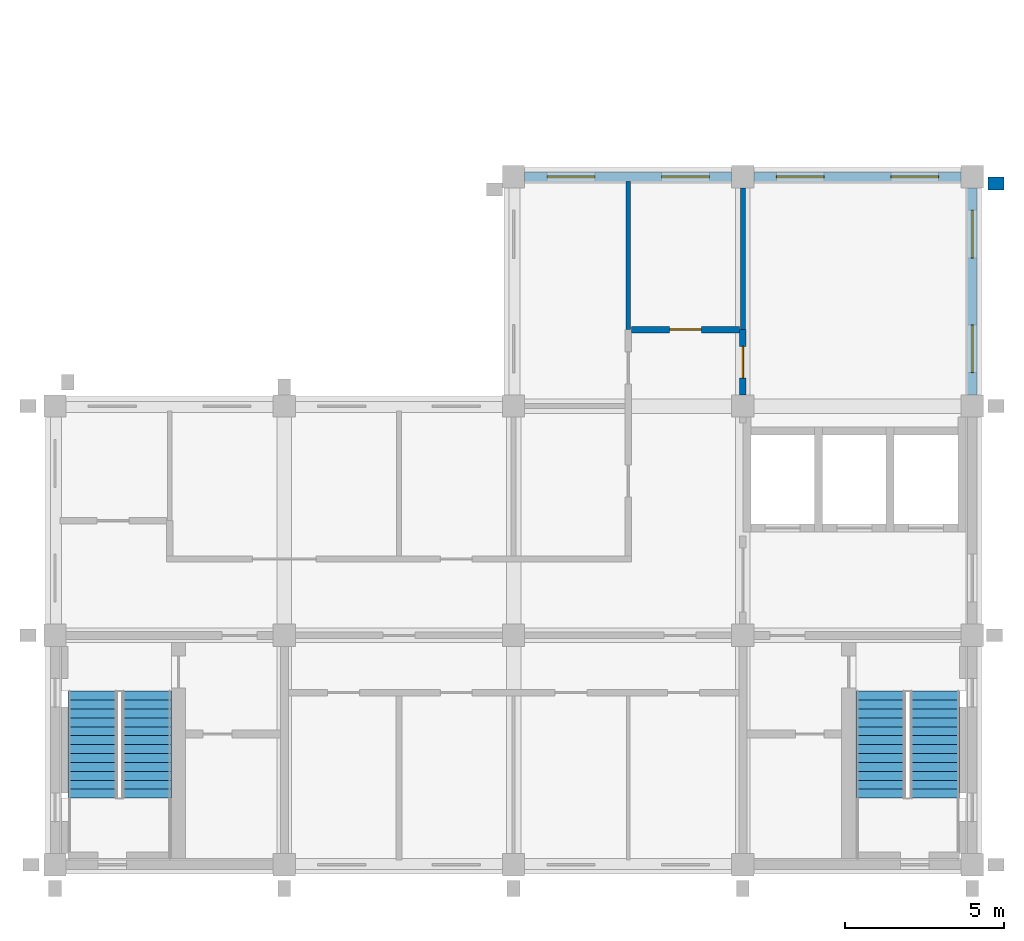
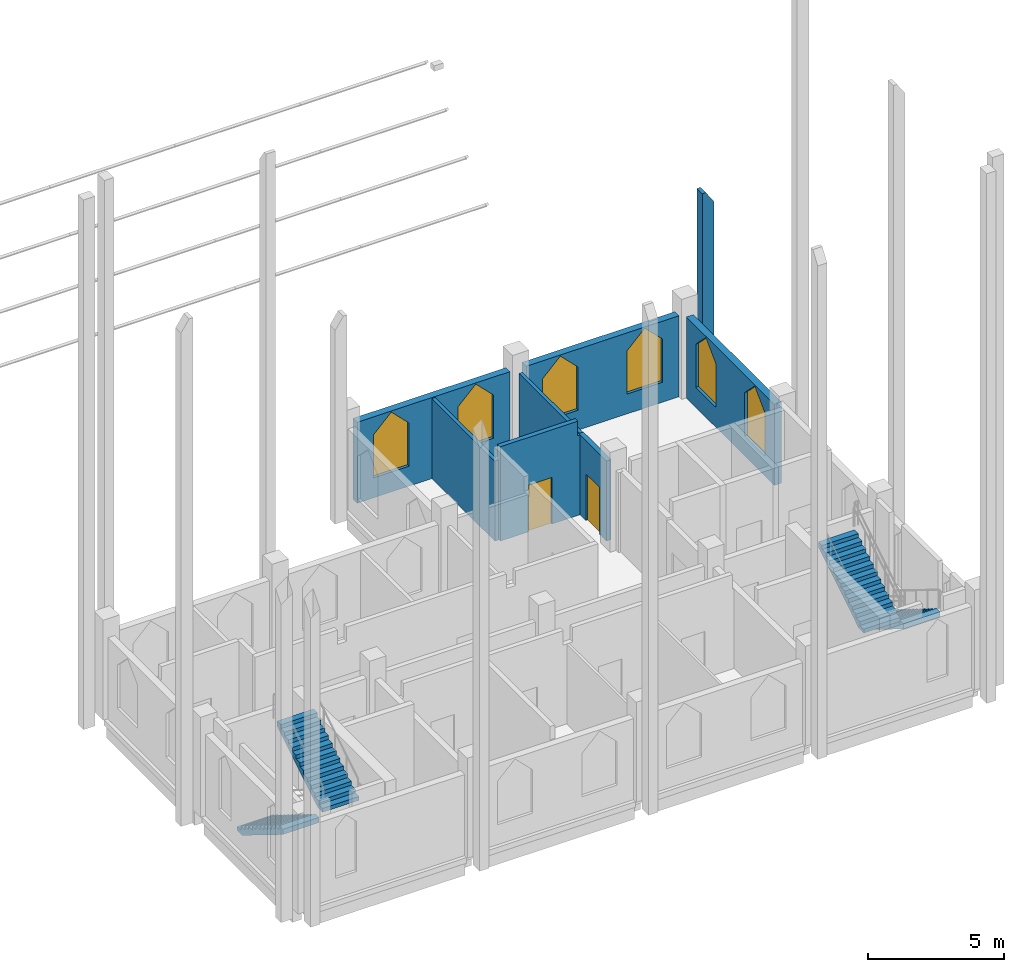
# One storey, part 6 of 7: 8 walls, 6 windows, 4 stair flights, 2 doors, 8 openings, 2 elements without a shape of their own.
"""IFC4 building model written with IfcOpenShell, lengths in metres."""

from ifc_helpers import new_model, si_unit, direction, frame, frame_2d, origin, place, context, subcontext, project, spatial, polyline, rectangle, outline, extrude, material, layer, layer_set, type_object, element, fill, aggregate, save


model = new_model("IFC4")

# Units and contexts
model_context = context("Model", 3, precision=1e-05, world=origin(), true_north=direction((0.0, 1.0)))
body_context = subcontext(model_context, "Body", "Model", "MODEL_VIEW")
ifc_project = project(units=[si_unit("LENGTHUNIT", "METRE"), si_unit("AREAUNIT", "SQUARE_METRE"), si_unit("VOLUMEUNIT", "CUBIC_METRE"), si_unit("PLANEANGLEUNIT", "RADIAN"), si_unit("MASSUNIT", "GRAM", prefix="KILO")], contexts=[model_context])

# Site, building, storey
site_placement = place(None, origin())
site = spatial("IfcSite", under=ifc_project, at=site_placement, CompositionType="ELEMENT")
building_placement = place(site_placement, origin())
building = spatial("IfcBuilding", under=site, at=building_placement, Name="Silangan Lancet Faculty of Sciences", CompositionType="ELEMENT")
storey_placement = place(building_placement, frame((0.0, 0.0, 58.800048828125)))
storey = spatial("IfcBuildingStorey", under=building, at=storey_placement, Name="L12", CompositionType="ELEMENT", Elevation=58.800048828125)

# Wall, openings, windows
ifc_material_1 = material(Name="Concrete C40/50 precast", Category="concrete")
ifc_layer_1 = layer(ifc_material_1, 0.300048828125)
ifc_layer_set_1 = layer_set([ifc_layer_1], Name="Concrete C40/50 precast")
wall_type_1 = type_object("IfcWallType", Name="EW1 Precast cladding wall", PredefinedType="STANDARD", material=ifc_layer_set_1)
wall_1_placement = place(storey_placement, frame((28.800048828125, 14.75, 0.0), z_axis=(0.0, 0.0, 1.0), x_axis=(0.0, 1.0, 0.0)))
wall_1 = element("IfcWall", 1, at=wall_1_placement, inside=storey, type_object=wall_type_1, Name="EW-L12-E-ST-02", PredefinedType="STANDARD", context=body_context, shape_type="SweptSolid", body=[
    extrude(rectangle(XDim=6.5, YDim=0.300048828125, at=frame_2d((3.25, 0.0))), origin(), (0.0, 0.0, 1.0), 3.64990234375),
])
opening_1_placement = place(wall_1_placement, frame((0.699951171875, 0.0, 0.89990234375)))
opening_1 = element("IfcOpeningElement", 2, at=opening_1_placement, cuts=wall_1, Name="Opening W23", PredefinedType="OPENING", context=body_context, shape_type="SweptSolid", body=[
    extrude(outline(polyline([(0.0, 0.0), (1.5, 0.0), (1.5, 1.949951171875), (0.75, 2.699951171875), (0.0, 1.949951171875), (0.0, 0.0)])), frame((0.0, 0.159912109375, 0.0), z_axis=(0.0, -1.0, 0.0), x_axis=(1.0, 0.0, 0.0)), (0.0, 0.0, 1.0), 0.320068359375),
])
opening_2_placement = place(wall_1_placement, frame((4.300048828125, 0.0, 0.89990234375)))
opening_2 = element("IfcOpeningElement", 3, at=opening_2_placement, cuts=wall_1, Name="Opening W23", PredefinedType="OPENING", context=body_context, shape_type="SweptSolid", body=[
    extrude(outline(polyline([(0.0, 0.0), (1.5, 0.0), (1.5, 1.949951171875), (0.75, 2.699951171875), (0.0, 1.949951171875), (0.0, 0.0)])), frame((0.0, 0.159912109375, 0.0), z_axis=(0.0, -1.0, 0.0), x_axis=(1.0, 0.0, 0.0)), (0.0, 0.0, 1.0), 0.320068359375),
])
ifc_material_2 = material(Name="Aluminium frame, laminated double glazing", Category="aluminium")
window_type = type_object("IfcWindowType", Name="W23 Lancet window 1500 x 2700", PartitioningType="SINGLE_PANEL", PredefinedType="WINDOW", material=ifc_material_2)
window_1_placement = place(opening_1_placement, origin())
window_1 = element("IfcWindow", 4, at=window_1_placement, inside=storey, type_object=window_type, Name="WIN-L12-E-ST-02a", OverallHeight=2.699951171875, OverallWidth=1.5, PartitioningType="SINGLE_PANEL", PredefinedType="WINDOW", context=body_context, shape_type="SweptSolid", body=[
    extrude(outline(polyline([(0.0, 0.0), (1.5, 0.0), (1.5, 1.949951171875), (0.75, 2.699951171875), (0.0, 1.949951171875), (0.0, 0.0)])), frame((0.0, 0.030029296875, 0.0), z_axis=(0.0, -1.0, 0.0), x_axis=(1.0, 0.0, 0.0)), (0.0, 0.0, 1.0), 0.06005859375),
])
fill(opening_1, window_1)
window_2_placement = place(opening_2_placement, origin())
window_2 = element("IfcWindow", 5, at=window_2_placement, inside=storey, type_object=window_type, Name="WIN-L12-E-ST-02b", OverallHeight=2.699951171875, OverallWidth=1.5, PartitioningType="SINGLE_PANEL", PredefinedType="WINDOW", context=body_context, shape_type="SweptSolid", body=[
    extrude(outline(polyline([(0.0, 0.0), (1.5, 0.0), (1.5, 1.949951171875), (0.75, 2.699951171875), (0.0, 1.949951171875), (0.0, 0.0)])), frame((0.0, 0.030029296875, 0.0), z_axis=(0.0, -1.0, 0.0), x_axis=(1.0, 0.0, 0.0)), (0.0, 0.0, 1.0), 0.06005859375),
])
fill(opening_2, window_2)

wall_2_placement = place(storey_placement, frame((28.449951171875, 21.60009765625, 0.0), z_axis=(0.0, 0.0, 1.0), x_axis=(-1.0, 0.0, 0.0)))
wall_2 = element("IfcWall", 6, at=wall_2_placement, inside=storey, type_object=wall_type_1, Name="EW-L12-N-ST-M-00", PredefinedType="STANDARD", context=body_context, shape_type="SweptSolid", body=[
    extrude(rectangle(XDim=6.5, YDim=0.300048828125, at=frame_2d((3.25, 0.0))), origin(), (0.0, 0.0, 1.0), 3.64990234375),
])
opening_3_placement = place(wall_2_placement, frame((0.699951171875, 0.0, 0.89990234375)))
opening_3 = element("IfcOpeningElement", 7, at=opening_3_placement, cuts=wall_2, Name="Opening W23", PredefinedType="OPENING", context=body_context, shape_type="SweptSolid", body=[
    extrude(outline(polyline([(0.0, 0.0), (1.5, 0.0), (1.5, 1.949951171875), (0.75, 2.699951171875), (0.0, 1.949951171875), (0.0, 0.0)])), frame((0.0, 0.159912109375, 0.0), z_axis=(0.0, -1.0, 0.0), x_axis=(1.0, 0.0, 0.0)), (0.0, 0.0, 1.0), 0.320068359375),
])
opening_4_placement = place(wall_2_placement, frame((4.300048828125, 0.0, 0.89990234375)))
opening_4 = element("IfcOpeningElement", 8, at=opening_4_placement, cuts=wall_2, Name="Opening W23", PredefinedType="OPENING", context=body_context, shape_type="SweptSolid", body=[
    extrude(outline(polyline([(0.0, 0.0), (1.5, 0.0), (1.5, 1.949951171875), (0.75, 2.699951171875), (0.0, 1.949951171875), (0.0, 0.0)])), frame((0.0, 0.159912109375, 0.0), z_axis=(0.0, -1.0, 0.0), x_axis=(1.0, 0.0, 0.0)), (0.0, 0.0, 1.0), 0.320068359375),
])
window_3_placement = place(opening_3_placement, origin())
window_3 = element("IfcWindow", 9, at=window_3_placement, inside=storey, type_object=window_type, Name="WIN-L12-N-ST-M-00a", OverallHeight=2.699951171875, OverallWidth=1.5, PartitioningType="SINGLE_PANEL", PredefinedType="WINDOW", context=body_context, shape_type="SweptSolid", body=[
    extrude(outline(polyline([(0.0, 0.0), (1.5, 0.0), (1.5, 1.949951171875), (0.75, 2.699951171875), (0.0, 1.949951171875), (0.0, 0.0)])), frame((0.0, 0.030029296875, 0.0), z_axis=(0.0, -1.0, 0.0), x_axis=(1.0, 0.0, 0.0)), (0.0, 0.0, 1.0), 0.06005859375),
])
fill(opening_3, window_3)
window_4_placement = place(opening_4_placement, origin())
window_4 = element("IfcWindow", 10, at=window_4_placement, inside=storey, type_object=window_type, Name="WIN-L12-N-ST-M-00b", OverallHeight=2.699951171875, OverallWidth=1.5, PartitioningType="SINGLE_PANEL", PredefinedType="WINDOW", context=body_context, shape_type="SweptSolid", body=[
    extrude(outline(polyline([(0.0, 0.0), (1.5, 0.0), (1.5, 1.949951171875), (0.75, 2.699951171875), (0.0, 1.949951171875), (0.0, 0.0)])), frame((0.0, 0.030029296875, 0.0), z_axis=(0.0, -1.0, 0.0), x_axis=(1.0, 0.0, 0.0)), (0.0, 0.0, 1.0), 0.06005859375),
])
fill(opening_4, window_4)

wall_3_placement = place(storey_placement, frame((21.25, 21.60009765625, 0.0), z_axis=(0.0, 0.0, 1.0), x_axis=(-1.0, 0.0, 0.0)))
wall_3 = element("IfcWall", 11, at=wall_3_placement, inside=storey, type_object=wall_type_1, Name="EW-L12-N-ST-M-01", PredefinedType="STANDARD", context=body_context, shape_type="SweptSolid", body=[
    extrude(rectangle(XDim=6.5, YDim=0.300048828125, at=frame_2d((3.25, 0.0))), origin(), (0.0, 0.0, 1.0), 3.64990234375),
])
opening_5_placement = place(wall_3_placement, frame((0.699951171875, 0.0, 0.89990234375)))
opening_5 = element("IfcOpeningElement", 12, at=opening_5_placement, cuts=wall_3, Name="Opening W23", PredefinedType="OPENING", context=body_context, shape_type="SweptSolid", body=[
    extrude(outline(polyline([(0.0, 0.0), (1.5, 0.0), (1.5, 1.949951171875), (0.75, 2.699951171875), (0.0, 1.949951171875), (0.0, 0.0)])), frame((0.0, 0.159912109375, 0.0), z_axis=(0.0, -1.0, 0.0), x_axis=(1.0, 0.0, 0.0)), (0.0, 0.0, 1.0), 0.320068359375),
])
opening_6_placement = place(wall_3_placement, frame((4.300048828125, 0.0, 0.89990234375)))
opening_6 = element("IfcOpeningElement", 13, at=opening_6_placement, cuts=wall_3, Name="Opening W23", PredefinedType="OPENING", context=body_context, shape_type="SweptSolid", body=[
    extrude(outline(polyline([(0.0, 0.0), (1.5, 0.0), (1.5, 1.949951171875), (0.75, 2.699951171875), (0.0, 1.949951171875), (0.0, 0.0)])), frame((0.0, 0.159912109375, 0.0), z_axis=(0.0, -1.0, 0.0), x_axis=(1.0, 0.0, 0.0)), (0.0, 0.0, 1.0), 0.320068359375),
])
window_5_placement = place(opening_5_placement, origin())
window_5 = element("IfcWindow", 14, at=window_5_placement, inside=storey, type_object=window_type, Name="WIN-L12-N-ST-M-01a", OverallHeight=2.699951171875, OverallWidth=1.5, PartitioningType="SINGLE_PANEL", PredefinedType="WINDOW", context=body_context, shape_type="SweptSolid", body=[
    extrude(outline(polyline([(0.0, 0.0), (1.5, 0.0), (1.5, 1.949951171875), (0.75, 2.699951171875), (0.0, 1.949951171875), (0.0, 0.0)])), frame((0.0, 0.030029296875, 0.0), z_axis=(0.0, -1.0, 0.0), x_axis=(1.0, 0.0, 0.0)), (0.0, 0.0, 1.0), 0.06005859375),
])
fill(opening_5, window_5)
window_6_placement = place(opening_6_placement, origin())
window_6 = element("IfcWindow", 15, at=window_6_placement, inside=storey, type_object=window_type, Name="WIN-L12-N-ST-M-01b", OverallHeight=2.699951171875, OverallWidth=1.5, PartitioningType="SINGLE_PANEL", PredefinedType="WINDOW", context=body_context, shape_type="SweptSolid", body=[
    extrude(outline(polyline([(0.0, 0.0), (1.5, 0.0), (1.5, 1.949951171875), (0.75, 2.699951171875), (0.0, 1.949951171875), (0.0, 0.0)])), frame((0.0, 0.030029296875, 0.0), z_axis=(0.0, -1.0, 0.0), x_axis=(1.0, 0.0, 0.0)), (0.0, 0.0, 1.0), 0.06005859375),
])
fill(opening_6, window_6)

# Wall
ifc_material_3 = material(Name="Concrete C40/50 precast", Category="concrete")
ifc_layer_2 = layer(ifc_material_3, 0.39990234375)
ifc_layer_set_2 = layer_set([ifc_layer_2], Name="Concrete C40/50 precast")
wall_type_2 = type_object("IfcWallType", Name="FN44 Buttress Fin column line stage 4 9250", PredefinedType="POLYGONAL", material=ifc_layer_set_2)
wall_4_placement = place(storey_placement, frame((29.300048828125, 21.389892578125, -0.25), z_axis=(0.0, 0.0, 1.0), x_axis=(1.0, 0.0, 0.0)))
element("IfcWall", 16, at=wall_4_placement, inside=storey, type_object=wall_type_2, Name="FINC-E-ST-04-S4", PredefinedType="POLYGONAL", context=body_context, shape_type="SweptSolid", body=[
    extrude(outline(polyline([(0.5, 0.0), (0.5, 8.724853515625), (0.14990234375, 9.25), (0.0, 9.25), (0.0, 0.0), (0.5, 0.0)])), frame((0.0, 0.199951171875, 0.0), z_axis=(0.0, -1.0, 0.0), x_axis=(1.0, 0.0, 0.0)), (0.0, 0.0, 1.0), 0.39990234375),
])

# Wall, opening, door
ifc_material_4 = material(Name="Hollow block masonry fm 7 MPa", Category="masonry")
ifc_layer_3 = layer(ifc_material_4, 0.199951171875)
ifc_layer_set_3 = layer_set([ifc_layer_3], Name="Hollow block masonry fm 7 MPa")
wall_type_3 = type_object("IfcWallType", Name="Interior wall PW1 Corridor wall CHB 200", PredefinedType="PARTITIONING", material=ifc_layer_set_3)
wall_5_placement = place(storey_placement, frame((18.10009765625, 16.800048828125, 0.0), z_axis=(0.0, 0.0, 1.0), x_axis=(1.0, 0.0, 0.0)))
wall_5 = element("IfcWall", 17, at=wall_5_placement, inside=storey, type_object=wall_type_3, Name="Corridor wall CHB 200", PredefinedType="PARTITIONING", context=body_context, shape_type="SweptSolid", body=[
    extrude(outline(polyline([(0.0, 0.0), (3.39990234375, 0.0), (3.39990234375, 3.599853515625), (3.2998046875, 3.599853515625), (3.2998046875, 4.25), (0.0, 4.25), (0.0, 0.0)])), frame((0.0, 0.10009765625, 0.0), z_axis=(0.0, -1.0, 0.0), x_axis=(1.0, 0.0, 0.0)), (0.0, 0.0, 1.0), 0.199951171875),
])
opening_7_placement = place(wall_5_placement, frame((1.199951171875, 0.0, 0.0)))
opening_7 = element("IfcOpeningElement", 18, at=opening_7_placement, cuts=wall_5, Name="Opening L12-008", PredefinedType="OPENING", context=body_context, shape_type="SweptSolid", body=[
    extrude(rectangle(XDim=1.0, YDim=2.10009765625, at=frame_2d((0.5, 1.050048828125))), frame((0.0, 0.10986328125, 0.0), z_axis=(0.0, -1.0, 0.0), x_axis=(1.0, 0.0, 0.0)), (0.0, 0.0, 1.0), 0.219970703125),
])
ifc_material_5 = material(Name="Steel fire door set", Category="steel")
door_type = type_object("IfcDoorType", Name="Door D1 Single leaf fire door 1000 x 2100", OperationType="SINGLE_SWING_LEFT", PredefinedType="DOOR", material=ifc_material_5)
door_1_placement = place(opening_7_placement, origin())
door_1 = element("IfcDoor", 19, at=door_1_placement, inside=storey, type_object=door_type, Name="Single leaf fire door 1000 x 2100", OperationType="SINGLE_SWING_RIGHT", OverallHeight=2.10009765625, OverallWidth=1.0, PredefinedType="DOOR", context=body_context, shape_type="SweptSolid", body=[
    extrude(rectangle(XDim=1.0, YDim=2.10009765625, at=frame_2d((0.5, 1.050048828125))), frame((0.0, 0.02490234375, 0.0), z_axis=(0.0, -1.0, 0.0), x_axis=(1.0, 0.0, 0.0)), (0.0, 0.0, 1.0), 0.050048828125),
])
fill(opening_7, door_1)

wall_6_placement = place(storey_placement, frame((21.60009765625, 14.75, 0.0), z_axis=(0.0, 0.0, 1.0), x_axis=(0.0, 1.0, 0.0)))
wall_6 = element("IfcWall", 20, at=wall_6_placement, inside=storey, type_object=wall_type_3, Name="Corridor wall CHB 200", PredefinedType="PARTITIONING", context=body_context, shape_type="SweptSolid", body=[
    extrude(rectangle(XDim=2.050048828125, YDim=0.199951171875, at=frame_2d((1.02490234375, 0.0))), origin(), (0.0, 0.0, 1.0), 3.599853515625),
])
opening_8_placement = place(wall_6_placement, frame((0.52490234375, 0.0, 0.0)))
opening_8 = element("IfcOpeningElement", 21, at=opening_8_placement, cuts=wall_6, Name="Opening L12-009", PredefinedType="OPENING", context=body_context, shape_type="SweptSolid", body=[
    extrude(rectangle(XDim=1.0, YDim=2.10009765625, at=frame_2d((0.5, 1.050048828125))), frame((0.0, 0.10986328125, 0.0), z_axis=(0.0, -1.0, 0.0), x_axis=(1.0, 0.0, 0.0)), (0.0, 0.0, 1.0), 0.219970703125),
])
door_2_placement = place(opening_8_placement, frame((1.0, 0.0, 0.0), z_axis=(0.0, 0.0, 1.0), x_axis=(-1.0, 0.0, 0.0)))
door_2 = element("IfcDoor", 22, at=door_2_placement, inside=storey, type_object=door_type, Name="Single leaf fire door 1000 x 2100", OperationType="SINGLE_SWING_RIGHT", OverallHeight=2.10009765625, OverallWidth=1.0, PredefinedType="DOOR", context=body_context, shape_type="SweptSolid", body=[
    extrude(rectangle(XDim=1.0, YDim=2.10009765625, at=frame_2d((0.5, 1.050048828125))), frame((0.0, 0.025146484375, 0.0), z_axis=(0.0, -1.0, 0.0), x_axis=(1.0, 0.0, 0.0)), (0.0, 0.0, 1.0), 0.050048828125),
])
fill(opening_8, door_2)

# Walls
ifc_material_6 = material(Name="Hollow block masonry fm 7 MPa", Category="masonry")
ifc_layer_4 = layer(ifc_material_6, 0.14990234375)
ifc_layer_set_4 = layer_set([ifc_layer_4], Name="Hollow block masonry fm 7 MPa")
wall_type_4 = type_object("IfcWallType", Name="Interior wall PW3 Partition CHB 150", PredefinedType="PARTITIONING", material=ifc_layer_set_4)
wall_7_placement = place(storey_placement, frame((18.0, 16.800048828125, 0.0), z_axis=(0.0, 0.0, 1.0), x_axis=(0.0, 1.0, 0.0)))
element("IfcWall", 23, at=wall_7_placement, inside=storey, type_object=wall_type_4, Name="Partition CHB 150", PredefinedType="PARTITIONING", context=body_context, shape_type="SweptSolid", body=[
    extrude(rectangle(XDim=4.64990234375, YDim=0.14990234375, at=frame_2d((2.324951171875, 0.0))), origin(), (0.0, 0.0, 1.0), 3.599853515625),
])
wall_8_placement = place(storey_placement, frame((21.60009765625, 16.800048828125, 0.0), z_axis=(0.0, 0.0, 1.0), x_axis=(0.0, 1.0, 0.0)))
element("IfcWall", 24, at=wall_8_placement, inside=storey, type_object=wall_type_4, Name="Partition CHB 150", PredefinedType="PARTITIONING", context=body_context, shape_type="SweptSolid", body=[
    extrude(rectangle(XDim=4.449951171875, YDim=0.14990234375, at=frame_2d((2.22509765625, 0.0))), origin(), (0.0, 0.0, 1.0), 3.599853515625),
])

# Stair, stair flights
ifc_material_7 = material(Name="Concrete C40/50", Category="concrete")
stair_type = type_object("IfcStairType", Name="TURRET STAIR 1550 TWO-FLIGHT", PredefinedType="HALF_TURN_STAIR", material=ifc_material_7)
stair_1_placement = place(storey_placement, origin())
stair_1 = element("IfcStair", 25, at=stair_1_placement, inside=storey, type_object=stair_type, Name="ST-A stair L12", PredefinedType="HALF_TURN_STAIR")
ifc_material_8 = material(Name="Concrete C40/50", Category="concrete")
stair_flight_type = type_object("IfcStairFlightType", Name="TURRET STAIR FLIGHT 1550", PredefinedType="STRAIGHT", material=ifc_material_8)
stair_flight_1_placement = place(storey_placement, frame((1.175048828125, 5.449951171875, 0.0), z_axis=(0.0, 0.0, 1.0), x_axis=(0.0, -1.0, 0.0)))
stair_flight_1 = element("IfcStairFlight", 26, at=stair_flight_1_placement, type_object=stair_flight_type, Name="STR1 flight 1", NumberOfRisers=13, NumberOfTreads=12, PredefinedType="STRAIGHT", RiserHeight=0.173076923, TreadLength=0.28, context=body_context, shape_type="SweptSolid", body=[
    extrude(outline(polyline([(0.0, 0.0), (0.0, 0.173095703125), (0.280029296875, 0.173095703125), (0.280029296875, 0.34619140625), (0.56005859375, 0.34619140625), (0.56005859375, 0.519287109375), (0.840087890625, 0.519287109375), (0.840087890625, 0.6923828125), (1.1201171875, 0.6923828125), (1.1201171875, 0.865478515625), (1.39990234375, 0.865478515625), (1.39990234375, 1.03857421875), (1.679931640625, 1.03857421875), (1.679931640625, 1.21142578125), (1.9599609375, 1.21142578125), (1.9599609375, 1.384521484375), (2.239990234375, 1.384521484375), (2.239990234375, 1.5576171875), (2.52001953125, 1.5576171875), (2.52001953125, 1.730712890625), (2.800048828125, 1.730712890625), (2.800048828125, 1.90380859375), (3.080078125, 1.90380859375), (3.080078125, 2.076904296875), (3.360107421875, 2.076904296875), (3.360107421875, 2.25), (3.360107421875, 1.841796875), (0.38037109375, 0.0), (0.0, 0.0)])), frame((0.0, 0.77490234375, 0.0), z_axis=(0.0, -1.0, 0.0), x_axis=(1.0, 0.0, 0.0)), (0.0, 0.0, 1.0), 1.550048828125),
])
stair_flight_2_placement = place(storey_placement, frame((2.875, 2.090087890625, 2.25), z_axis=(0.0, 0.0, 1.0), x_axis=(0.0, 1.0, 0.0)))
stair_flight_2 = element("IfcStairFlight", 27, at=stair_flight_2_placement, type_object=stair_flight_type, Name="STR1 flight 2", NumberOfRisers=13, NumberOfTreads=12, PredefinedType="STRAIGHT", RiserHeight=0.173076923, TreadLength=0.28, context=body_context, shape_type="SweptSolid", body=[
    extrude(outline(polyline([(0.0, 0.0), (0.0, 0.173095703125), (0.280029296875, 0.173095703125), (0.280029296875, 0.34619140625), (0.56005859375, 0.34619140625), (0.56005859375, 0.519287109375), (0.840087890625, 0.519287109375), (0.840087890625, 0.6923828125), (1.1201171875, 0.6923828125), (1.1201171875, 0.865478515625), (1.39990234375, 0.865478515625), (1.39990234375, 1.03857421875), (1.679931640625, 1.03857421875), (1.679931640625, 1.21142578125), (1.9599609375, 1.21142578125), (1.9599609375, 1.384521484375), (2.239990234375, 1.384521484375), (2.239990234375, 1.5576171875), (2.52001953125, 1.5576171875), (2.52001953125, 1.730712890625), (2.800048828125, 1.730712890625), (2.800048828125, 1.90380859375), (3.080078125, 1.90380859375), (3.080078125, 2.076904296875), (3.360107421875, 2.076904296875), (3.360107421875, 2.25), (3.360107421875, 1.841796875), (0.38037109375, 0.0), (0.0, 0.0)])), frame((0.0, 0.77490234375, 0.0), z_axis=(0.0, -1.0, 0.0), x_axis=(1.0, 0.0, 0.0)), (0.0, 0.0, 1.0), 1.550048828125),
])
aggregate(stair_1, [stair_flight_1, stair_flight_2])

stair_2_placement = place(storey_placement, origin())
stair_2 = element("IfcStair", 28, at=stair_2_placement, inside=storey, type_object=stair_type, Name="ST-B stair L12", PredefinedType="HALF_TURN_STAIR")
stair_flight_3_placement = place(storey_placement, frame((27.625, 5.449951171875, 0.0), z_axis=(0.0, 0.0, 1.0), x_axis=(0.0, -1.0, 0.0)))
stair_flight_3 = element("IfcStairFlight", 29, at=stair_flight_3_placement, type_object=stair_flight_type, Name="STR2 flight 1", NumberOfRisers=13, NumberOfTreads=12, PredefinedType="STRAIGHT", RiserHeight=0.173076923, TreadLength=0.28, context=body_context, shape_type="SweptSolid", body=[
    extrude(outline(polyline([(0.0, 0.0), (0.0, 0.173095703125), (0.280029296875, 0.173095703125), (0.280029296875, 0.34619140625), (0.56005859375, 0.34619140625), (0.56005859375, 0.519287109375), (0.840087890625, 0.519287109375), (0.840087890625, 0.6923828125), (1.1201171875, 0.6923828125), (1.1201171875, 0.865478515625), (1.39990234375, 0.865478515625), (1.39990234375, 1.03857421875), (1.679931640625, 1.03857421875), (1.679931640625, 1.21142578125), (1.9599609375, 1.21142578125), (1.9599609375, 1.384521484375), (2.239990234375, 1.384521484375), (2.239990234375, 1.5576171875), (2.52001953125, 1.5576171875), (2.52001953125, 1.730712890625), (2.800048828125, 1.730712890625), (2.800048828125, 1.90380859375), (3.080078125, 1.90380859375), (3.080078125, 2.076904296875), (3.360107421875, 2.076904296875), (3.360107421875, 2.25), (3.360107421875, 1.841796875), (0.38037109375, 0.0), (0.0, 0.0)])), frame((0.0, 0.77490234375, 0.0), z_axis=(0.0, -1.0, 0.0), x_axis=(1.0, 0.0, 0.0)), (0.0, 0.0, 1.0), 1.550048828125),
])
stair_flight_4_placement = place(storey_placement, frame((25.925048828125, 2.090087890625, 2.25), z_axis=(0.0, 0.0, 1.0), x_axis=(0.0, 1.0, 0.0)))
stair_flight_4 = element("IfcStairFlight", 30, at=stair_flight_4_placement, type_object=stair_flight_type, Name="STR2 flight 2", NumberOfRisers=13, NumberOfTreads=12, PredefinedType="STRAIGHT", RiserHeight=0.173076923, TreadLength=0.28, context=body_context, shape_type="SweptSolid", body=[
    extrude(outline(polyline([(0.0, 0.0), (0.0, 0.173095703125), (0.280029296875, 0.173095703125), (0.280029296875, 0.34619140625), (0.56005859375, 0.34619140625), (0.56005859375, 0.519287109375), (0.840087890625, 0.519287109375), (0.840087890625, 0.6923828125), (1.1201171875, 0.6923828125), (1.1201171875, 0.865478515625), (1.39990234375, 0.865478515625), (1.39990234375, 1.03857421875), (1.679931640625, 1.03857421875), (1.679931640625, 1.21142578125), (1.9599609375, 1.21142578125), (1.9599609375, 1.384521484375), (2.239990234375, 1.384521484375), (2.239990234375, 1.5576171875), (2.52001953125, 1.5576171875), (2.52001953125, 1.730712890625), (2.800048828125, 1.730712890625), (2.800048828125, 1.90380859375), (3.080078125, 1.90380859375), (3.080078125, 2.076904296875), (3.360107421875, 2.076904296875), (3.360107421875, 2.25), (3.360107421875, 1.841796875), (0.38037109375, 0.0), (0.0, 0.0)])), frame((0.0, 0.77490234375, 0.0), z_axis=(0.0, -1.0, 0.0), x_axis=(1.0, 0.0, 0.0)), (0.0, 0.0, 1.0), 1.550048828125),
])
aggregate(stair_2, [stair_flight_3, stair_flight_4])

save(model, "model.ifc")
